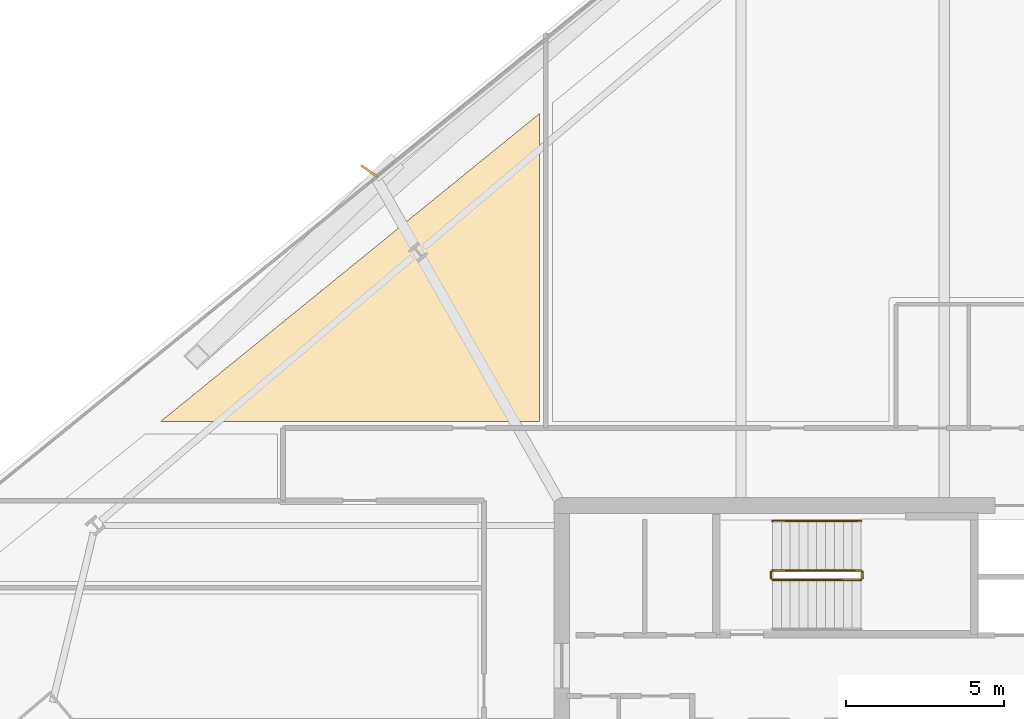
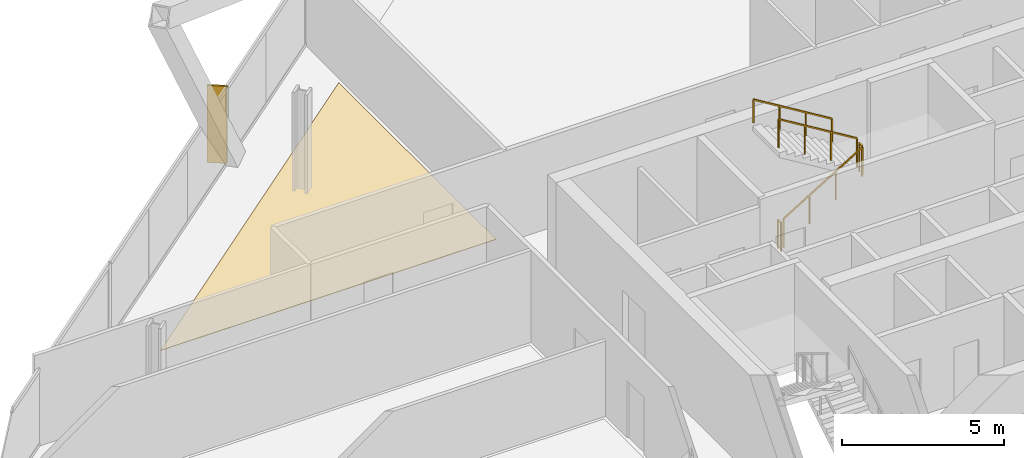
# One storey, part 35 of 36: 5 railings, 1 covering, 1 shading device.
"""IFC4 building model written with IfcOpenShell, lengths in metres."""

from ifc_helpers import new_model, si_unit, direction, frame, origin, origin_2d, place, context, subcontext, project, spatial, polyline, rectangle, outline, extrude, source, transform, mapped, material, layer, layer_set, type_object, element, save


model = new_model("IFC4")

# Units and contexts
model_context = context("Model", 3, precision=1e-05, world=origin(), true_north=direction((0.0, 1.0)))
body_context = subcontext(model_context, "Body", "Model", "MODEL_VIEW")
ifc_project = project(units=[si_unit("LENGTHUNIT", "METRE"), si_unit("AREAUNIT", "SQUARE_METRE"), si_unit("VOLUMEUNIT", "CUBIC_METRE"), si_unit("PLANEANGLEUNIT", "RADIAN"), si_unit("MASSUNIT", "GRAM", prefix="KILO")], contexts=[model_context])

# Site, building, storey
site_placement = place(None, origin())
site = spatial("IfcSite", under=ifc_project, at=site_placement, CompositionType="ELEMENT")
building_placement = place(site_placement, origin())
building = spatial("IfcBuilding", under=site, at=building_placement, Name="Haldenkirk Collegiate Tower", CompositionType="ELEMENT")
storey_placement = place(building_placement, frame((0.0, 0.0, 159.449951171875)))
storey = spatial("IfcBuildingStorey", under=building, at=storey_placement, Name="L39", CompositionType="ELEMENT", Elevation=159.449951171875)

# Covering
ifc_material_1 = material(Name="Engineered collegiate oak acoustic flooring", Category="wood")
ifc_layer_1 = layer(ifc_material_1, 0.02197265625)
ifc_layer_set_1 = layer_set([ifc_layer_1], Name="Engineered collegiate oak acoustic flooring")
covering_type = type_object("IfcCoveringType", Name="COV-FLOOR-TIMBER", PredefinedType="FLOORING", material=ifc_layer_set_1)
covering_placement = place(storey_placement, origin())
element("IfcCovering", 1, at=covering_placement, inside=storey, type_object=covering_type, Name="L39 academic room finish 05", PredefinedType="FLOORING", context=body_context, shape_type="SweptSolid", body=[
    extrude(outline(polyline([(26.300048828125, 46.37548828125), (26.300048828125, 36.64990234375), (14.33251953125, 36.64990234375), (26.300048828125, 46.37548828125)])), origin(), (0.0, 0.0, 1.0), 0.02197265625),
])

# Railings
ifc_material_2 = material(Name="Painted architectural tubular steel", Category="steel")
railing_type_1 = type_object("IfcRailingType", Name="RLG-STAIR-GUARD-1100", PredefinedType="BALUSTRADE", material=ifc_material_2)
railing_1_placement = place(storey_placement, frame((33.64990234375, 31.64990234375, 0.17041015625)))
element("IfcRailing", 2, at=railing_1_placement, inside=storey, type_object=railing_type_1, Name="L39 ST-3 stair guard 1", PredefinedType="BALUSTRADE", context=body_context, shape_type="SweptSolid", body=[
    extrude(rectangle(XDim=0.048095703125, YDim=0.048095703125, at=origin_2d()), frame((0.0, 0.0, 1.076171875), z_axis=(0.854169791009, 0.0, 0.51999420009), x_axis=(0.0, 1.0, 0.0)), (0.0, 0.0, 1.0), 3.278076171875),
    extrude(rectangle(XDim=0.0419921875, YDim=0.0419921875, at=origin_2d()), origin(), (0.0, 0.0, 1.0), 1.052001953125),
    extrude(rectangle(XDim=0.0419921875, YDim=0.0419921875, at=origin_2d()), frame((0.933349609375, 0.0, 0.568115234375)), (0.0, 0.0, 1.0), 1.052001953125),
    extrude(rectangle(XDim=0.0419921875, YDim=0.0419921875, at=origin_2d()), frame((1.86669921875, 0.0, 1.136474609375)), (0.0, 0.0, 1.0), 1.052001953125),
    extrude(rectangle(XDim=0.0419921875, YDim=0.0419921875, at=origin_2d()), frame((2.800048828125, 0.0, 1.70458984375)), (0.0, 0.0, 1.0), 1.052001953125),
])
railing_2_placement = place(storey_placement, frame((36.5, 31.699951171875, 1.875)))
element("IfcRailing", 3, at=railing_2_placement, inside=storey, type_object=railing_type_1, Name="L39 ST-3 stair guard 2", PredefinedType="BALUSTRADE", context=body_context, shape_type="SweptSolid", body=[
    extrude(rectangle(XDim=0.048095703125, YDim=0.048095703125, at=origin_2d()), frame((0.0, 0.0, 1.076171875), z_axis=(0.0, 1.0, 0.0), x_axis=(-1.0, 0.0, 0.0)), (0.0, 0.0, 1.0), 0.199951171875),
    extrude(rectangle(XDim=0.0419921875, YDim=0.0419921875, at=origin_2d()), origin(), (0.0, 0.0, 1.0), 1.052001953125),
    extrude(rectangle(XDim=0.0419921875, YDim=0.0419921875, at=origin_2d()), frame((0.0, 0.199951171875, 0.0)), (0.0, 0.0, 1.0), 1.052001953125),
])
railing_3_placement = place(storey_placement, frame((36.449951171875, 31.949951171875, 2.04541015625)))
element("IfcRailing", 4, at=railing_3_placement, inside=storey, type_object=railing_type_1, Name="L39 ST-3 stair guard 3", PredefinedType="BALUSTRADE", context=body_context, shape_type="SweptSolid", body=[
    extrude(rectangle(XDim=0.048095703125, YDim=0.048095703125, at=origin_2d()), frame((0.0, 0.0, 1.076171875), z_axis=(-0.854169791009, 0.0, 0.51999420009), x_axis=(0.0, -1.0, 0.0)), (0.0, 0.0, 1.0), 3.278076171875),
    extrude(rectangle(XDim=0.0419921875, YDim=0.0419921875, at=origin_2d()), origin(), (0.0, 0.0, 1.0), 1.052001953125),
    extrude(rectangle(XDim=0.0419921875, YDim=0.0419921875, at=origin_2d()), frame((-0.933349609375, 0.0, 0.568115234375)), (0.0, 0.0, 1.0), 1.052001953125),
    extrude(rectangle(XDim=0.0419921875, YDim=0.0419921875, at=origin_2d()), frame((-1.86669921875, 0.0, 1.136474609375)), (0.0, 0.0, 1.0), 1.052001953125),
    extrude(rectangle(XDim=0.0419921875, YDim=0.0419921875, at=origin_2d()), frame((-2.800048828125, 0.0, 1.70458984375)), (0.0, 0.0, 1.0), 1.052001953125),
])
railing_4_placement = place(storey_placement, frame((33.60009765625, 31.699951171875, 0.0)))
element("IfcRailing", 5, at=railing_4_placement, inside=storey, type_object=railing_type_1, Name="L39 ST-3 stair guard 4", PredefinedType="BALUSTRADE", context=body_context, shape_type="SweptSolid", body=[
    extrude(rectangle(XDim=0.048095703125, YDim=0.048095703125, at=origin_2d()), frame((0.0, 0.0, 1.076171875), z_axis=(0.0, 1.0, 0.0), x_axis=(-1.0, 0.0, 0.0)), (0.0, 0.0, 1.0), 0.199951171875),
    extrude(rectangle(XDim=0.0419921875, YDim=0.0419921875, at=origin_2d()), origin(), (0.0, 0.0, 1.0), 1.052001953125),
    extrude(rectangle(XDim=0.0419921875, YDim=0.0419921875, at=origin_2d()), frame((0.0, 0.199951171875, 0.0)), (0.0, 0.0, 1.0), 1.052001953125),
])
railing_type_2 = type_object("IfcRailingType", Name="RLG-STAIR-HANDRAIL-900", PredefinedType="HANDRAIL", material=ifc_material_2)
railing_5_placement = place(storey_placement, frame((36.449951171875, 33.5, 2.04541015625)))
element("IfcRailing", 6, at=railing_5_placement, inside=storey, type_object=railing_type_2, Name="L39 ST-3 stair handrail 2", PredefinedType="HANDRAIL", context=body_context, shape_type="SweptSolid", body=[
    extrude(rectangle(XDim=0.048095703125, YDim=0.048095703125, at=origin_2d()), frame((0.0, 0.0, 0.8759765625), z_axis=(-0.854169791009, 0.0, 0.51999420009), x_axis=(0.0, -1.0, 0.0)), (0.0, 0.0, 1.0), 3.278076171875),
    extrude(rectangle(XDim=0.0419921875, YDim=0.0419921875, at=origin_2d()), origin(), (0.0, 0.0, 1.0), 0.851806640625),
    extrude(rectangle(XDim=0.0419921875, YDim=0.0419921875, at=origin_2d()), frame((-0.933349609375, 0.0, 0.568115234375)), (0.0, 0.0, 1.0), 0.851806640625),
    extrude(rectangle(XDim=0.0419921875, YDim=0.0419921875, at=origin_2d()), frame((-1.86669921875, 0.0, 1.136474609375)), (0.0, 0.0, 1.0), 0.851806640625),
    extrude(rectangle(XDim=0.0419921875, YDim=0.0419921875, at=origin_2d()), frame((-2.800048828125, 0.0, 1.70458984375)), (0.0, 0.0, 1.0), 0.851806640625),
])

# Shading device
ifc_material_3 = material(Name="Anodised architectural bronze aluminium", Category="aluminium")
ifc_layer_2 = layer(ifc_material_3, 0.06494140625)
ifc_layer_set_2 = layer_set([ifc_layer_2], Name="Anodised architectural bronze aluminium")
shading_device_type = type_object("IfcShadingDeviceType", Name="SHD-FIN-BRONZE-620", PredefinedType="USERDEFINED", material=ifc_layer_set_2)
shared_shape = source(origin(), body_context, "Body", "SweptSolid", [
    extrude(rectangle(XDim=0.6201171875, YDim=0.06494140625, at=origin_2d()), origin(), (0.0, 0.0, 1.0), 2.910888671875),
])
shading_device_placement = place(storey_placement, frame((20.91748046875, 44.55908203125, 0.0), z_axis=(0.0, 0.0, 1.0), x_axis=(-0.820151875874, 0.572145873446, 0.0)))
element("IfcShadingDevice", 7, at=shading_device_placement, inside=storey, type_object=shading_device_type, Name="L39 folded bronze solar fin 1", ObjectType="FIN", PredefinedType="USERDEFINED", context=body_context, shape_type="MappedRepresentation", body=[
    mapped(shared_shape, transform((0.0, 0.0, 0.0), x_axis=(1.0, 0.0, 0.0), y_axis=(0.0, 1.0, 0.0), z_axis=(0.0, 0.0, 1.0), scale=1.0)),
])

save(model, "model.ifc")
